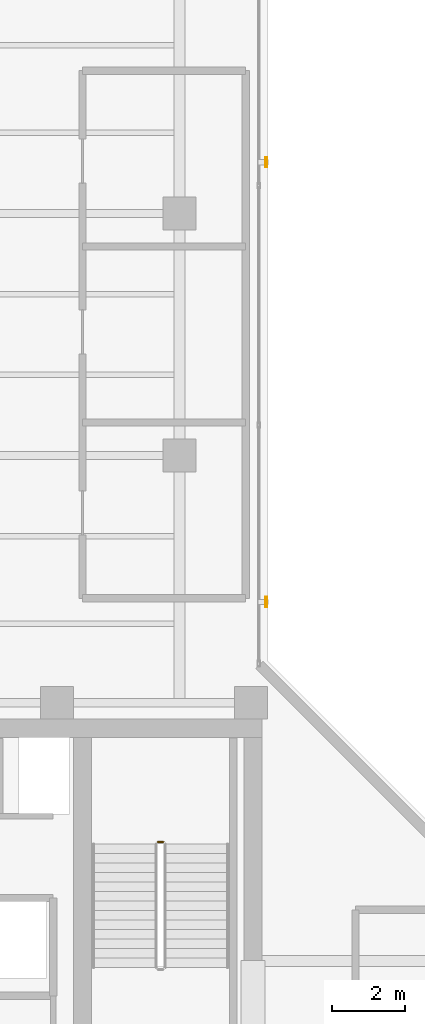
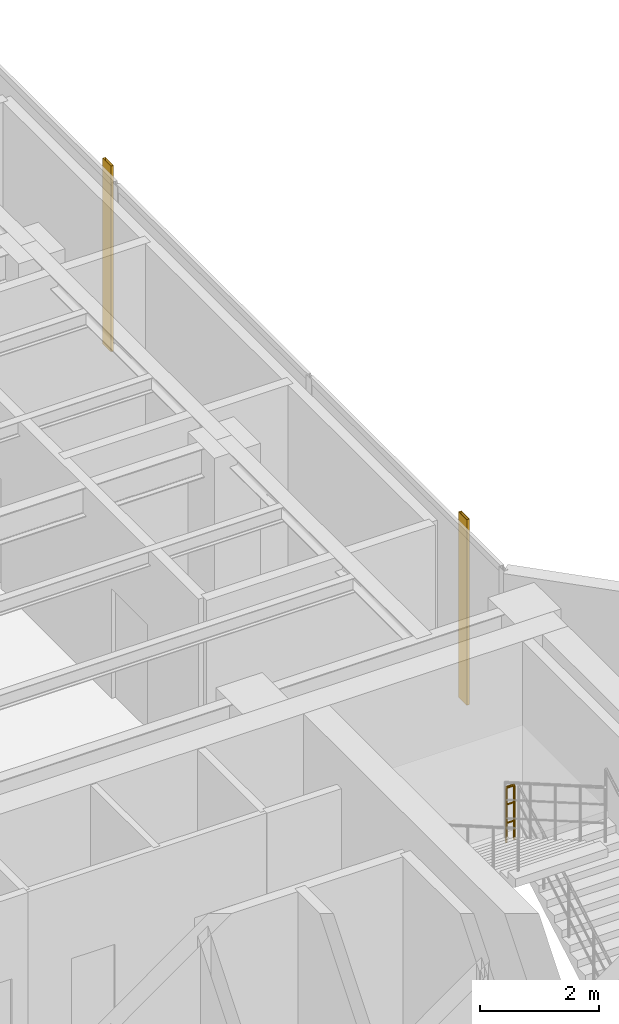
# One storey, part 24 of 24: 2 shading devices, 1 railing.
"""IFC4 building model written with IfcOpenShell, lengths in metres."""

from ifc_helpers import new_model, si_unit, direction, frame, origin, origin_2d, place, context, subcontext, project, spatial, hollow_rectangle, circle, extrude, material, material_profile, profile_set, type_object, element, save


model = new_model("IFC4")

# Units and contexts
model_context = context("Model", 3, precision=1e-05, world=origin(), true_north=direction((0.0, 1.0)))
body_context = subcontext(model_context, "Body", "Model", "MODEL_VIEW")
ifc_project = project(units=[si_unit("LENGTHUNIT", "METRE"), si_unit("AREAUNIT", "SQUARE_METRE"), si_unit("VOLUMEUNIT", "CUBIC_METRE"), si_unit("PLANEANGLEUNIT", "RADIAN"), si_unit("MASSUNIT", "GRAM", prefix="KILO")], contexts=[model_context])

# Site, building, storey
site_placement = place(None, origin())
site = spatial("IfcSite", under=ifc_project, at=site_placement, CompositionType="ELEMENT")
building_placement = place(site_placement, origin())
building = spatial("IfcBuilding", under=site, at=building_placement, Name="Kolvaren Waterfront Exchange", CompositionType="ELEMENT")
storey_placement = place(building_placement, frame((0.0, 0.0, 356.199951171875)))
storey = spatial("IfcBuildingStorey", under=building, at=storey_placement, Name="L91", CompositionType="ELEMENT", Elevation=356.199951171875)

# Shading devices
ifc_material_1 = material(Name="Anodised bronze aluminium 6063-T6", Category="aluminium")
ifc_material_profile = material_profile(ifc_material_1, hollow_rectangle(XDim=0.054931640625, YDim=0.280029296875, WallThickness=0.00439453125, at=origin_2d()), Name="BRZ-FIN-280x55x4.5")
ifc_profile_set = profile_set([ifc_material_profile], Name="Anodised bronze aluminium 6063-T6")
shading_device_type = type_object("IfcShadingDeviceType", Name="ARC-FIN-280", PredefinedType="USERDEFINED", material=ifc_profile_set)
for number, where, z_axis, x_axis, name in (
    (1, (21.159912109375, 27.199951171875, 0.0), (0.0, 0.0, 1.0), (1.0, 0.0, 0.0), "L91 anodised bronze solar shading fin FIN-L91-E2"),
    (2, (21.159912109375, 39.199951171875, 0.0), (0.0, 0.0, 1.0), (1.0, 0.0, 0.0), "L91 anodised bronze solar shading fin FIN-L91-E3"),
):
    element("IfcShadingDevice", number, at=place(storey_placement, frame(where, z_axis=z_axis, x_axis=x_axis)), inside=storey, type_object=shading_device_type, Name=name, ObjectType="SOLAR FIN", PredefinedType="USERDEFINED", context=body_context, shape_type="SweptSolid", body=[
        extrude(hollow_rectangle(XDim=0.054931640625, YDim=0.280029296875, WallThickness=0.00439453125, at=origin_2d()), origin(), (0.0, 0.0, 1.0), 3.820068359375),
    ])

# Railing
ifc_material_2 = material(Name="Stainless steel 316", Category="steel")
railing_type = type_object("IfcRailingType", Name="ARC-GUARD-STAIR", PredefinedType="GUARDRAIL", material=ifc_material_2)
railing_placement = place(storey_placement, frame((18.360107421875, 20.64990234375, 2.10009765625)))
element("IfcRailing", 3, at=railing_placement, inside=storey, type_object=railing_type, Name="L91 ST2 stair guard 2", PredefinedType="GUARDRAIL", context=body_context, shape_type="SweptSolid", body=[
    extrude(circle(Radius=0.02392578125, at=origin_2d()), frame((0.0, 0.0, 1.1259765625), z_axis=(-1.0, 0.0, 0.0), x_axis=(0.0, -1.0, 0.0)), (0.0, 0.0, 1.0), 0.16015625),
    extrude(circle(Radius=0.01611328125, at=origin_2d()), frame((0.0, 0.0, 0.390869140625), z_axis=(-1.0, 0.0, 0.0), x_axis=(0.0, -1.0, 0.0)), (0.0, 0.0, 1.0), 0.16015625),
    extrude(circle(Radius=0.01611328125, at=origin_2d()), frame((0.0, 0.0, 0.7705078125), z_axis=(-1.0, 0.0, 0.0), x_axis=(0.0, -1.0, 0.0)), (0.0, 0.0, 1.0), 0.16015625),
    extrude(circle(Radius=0.02099609375, at=origin_2d()), origin(), (0.0, 0.0, 1.0), 1.101806640625),
    extrude(circle(Radius=0.02099609375, at=origin_2d()), frame((-0.16015625, 0.0, 0.0)), (0.0, 0.0, 1.0), 1.101806640625),
])

save(model, "model.ifc")
